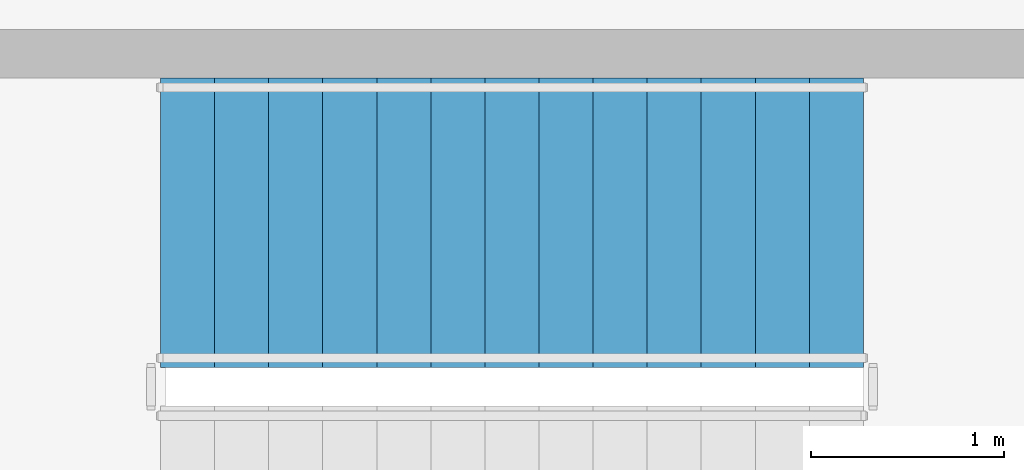
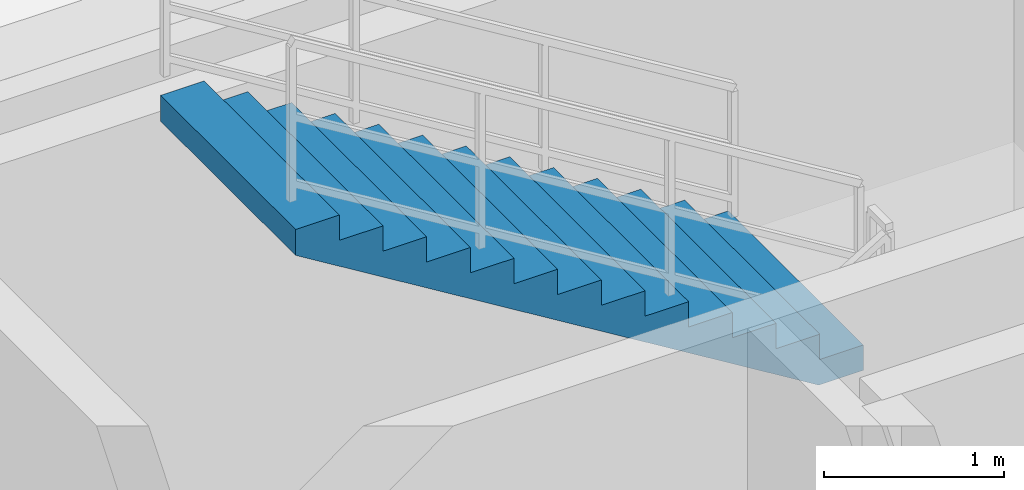
# One storey, part 5 of 7: 1 stair flight, 1 element without a shape of its own.
"""IFC4 building model written with IfcOpenShell, lengths in metres."""

from ifc_helpers import new_model, si_unit, direction, frame, origin, place, context, subcontext, project, spatial, polyline, outline, extrude, material, type_object, element, aggregate, save


model = new_model("IFC4")

# Units and contexts
model_context = context("Model", 3, precision=1e-05, world=origin(), true_north=direction((0.0, 1.0)))
body_context = subcontext(model_context, "Body", "Model", "MODEL_VIEW")
ifc_project = project(units=[si_unit("LENGTHUNIT", "METRE"), si_unit("AREAUNIT", "SQUARE_METRE"), si_unit("VOLUMEUNIT", "CUBIC_METRE"), si_unit("PLANEANGLEUNIT", "RADIAN"), si_unit("MASSUNIT", "GRAM", prefix="KILO")], contexts=[model_context])

# Site, building, storey
site_placement = place(None, origin())
site = spatial("IfcSite", under=ifc_project, at=site_placement, CompositionType="ELEMENT")
building_placement = place(site_placement, origin())
building = spatial("IfcBuilding", under=site, at=building_placement, Name="Zulverin Broadcast Headquarters", CompositionType="ELEMENT")
storey_placement = place(building_placement, frame((0.0, 0.0, 308.60009765625)))
storey = spatial("IfcBuildingStorey", under=building, at=storey_placement, Name="L79", CompositionType="ELEMENT", Elevation=308.60009765625)

# Stair, stair flight
ifc_material = material(Name="Concrete C40/50", Category="concrete")
stair_type = type_object("IfcStairType", Name="ST-CORE-1500", PredefinedType="HALF_TURN_STAIR", material=ifc_material)
stair_placement = place(storey_placement, origin())
stair = element("IfcStair", 1, at=stair_placement, inside=storey, type_object=stair_type, Name="L79 Core Exit Stair ST-1", PredefinedType="HALF_TURN_STAIR")
stair_flight_type = type_object("IfcStairFlightType", Name="SF-CORE-1500", PredefinedType="STRAIGHT", material=ifc_material)
stair_flight_placement = place(storey_placement, frame((43.77001953125, 31.5, 2.39990234375), z_axis=(0.0, 0.0, 1.0), x_axis=(-1.0, 0.0, 0.0)))
stair_flight = element("IfcStairFlight", 2, at=stair_flight_placement, type_object=stair_flight_type, Name="ST-1 flight 2", NumberOfRisers=14, NumberOfTreads=13, PredefinedType="STRAIGHT", RiserHeight=0.171428571, TreadLength=0.28, context=body_context, shape_type="SweptSolid", body=[
    extrude(outline(polyline([(0.0, 0.0), (0.0, 0.17138671875), (0.280029296875, 0.17138671875), (0.280029296875, 0.3427734375), (0.56005859375, 0.3427734375), (0.56005859375, 0.514404296875), (0.840087890625, 0.514404296875), (0.840087890625, 0.685791015625), (1.1201171875, 0.685791015625), (1.1201171875, 0.857177734375), (1.39990234375, 0.857177734375), (1.39990234375, 1.028564453125), (1.679931640625, 1.028564453125), (1.679931640625, 1.199951171875), (1.9599609375, 1.199951171875), (1.9599609375, 1.371337890625), (2.239990234375, 1.371337890625), (2.239990234375, 1.54296875), (2.52001953125, 1.54296875), (2.52001953125, 1.71435546875), (2.800048828125, 1.71435546875), (2.800048828125, 1.8857421875), (3.080078125, 1.8857421875), (3.080078125, 2.05712890625), (3.360107421875, 2.05712890625), (3.360107421875, 2.228515625), (3.639892578125, 2.228515625), (3.639892578125, 2.39990234375), (3.639892578125, 2.052734375), (0.287109375, 0.0), (0.0, 0.0)])), frame((0.0, 0.75, 0.0), z_axis=(0.0, -1.0, 0.0), x_axis=(1.0, 0.0, 0.0)), (0.0, 0.0, 1.0), 1.5),
])
aggregate(stair, [stair_flight])

save(model, "model.ifc")
